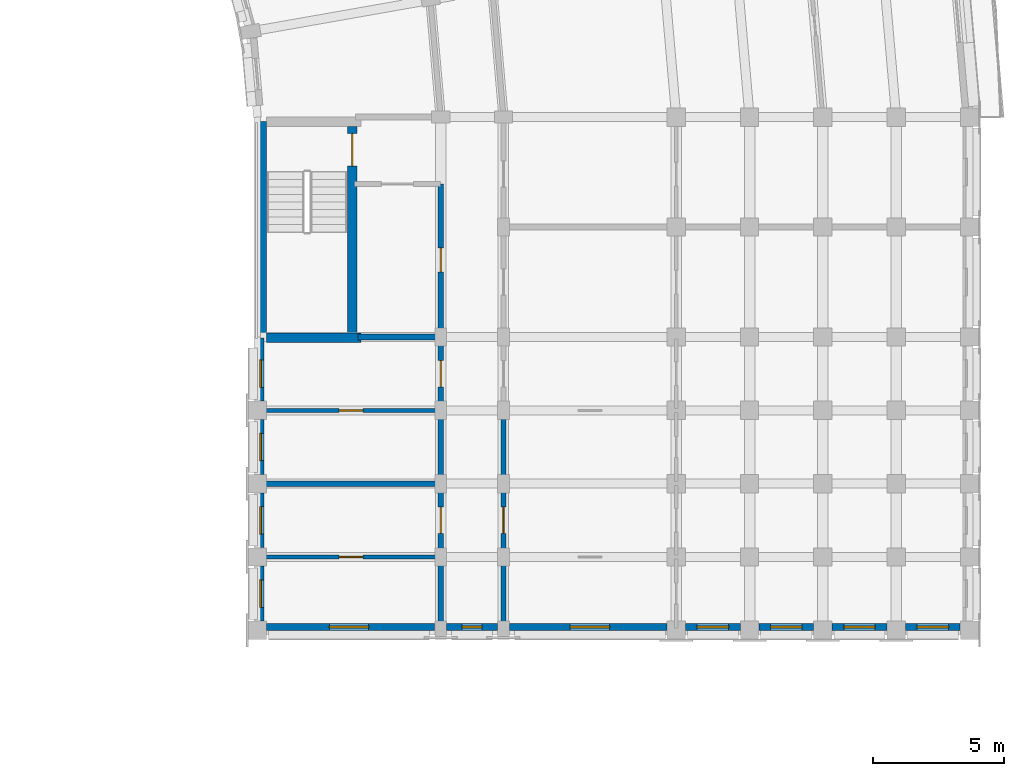
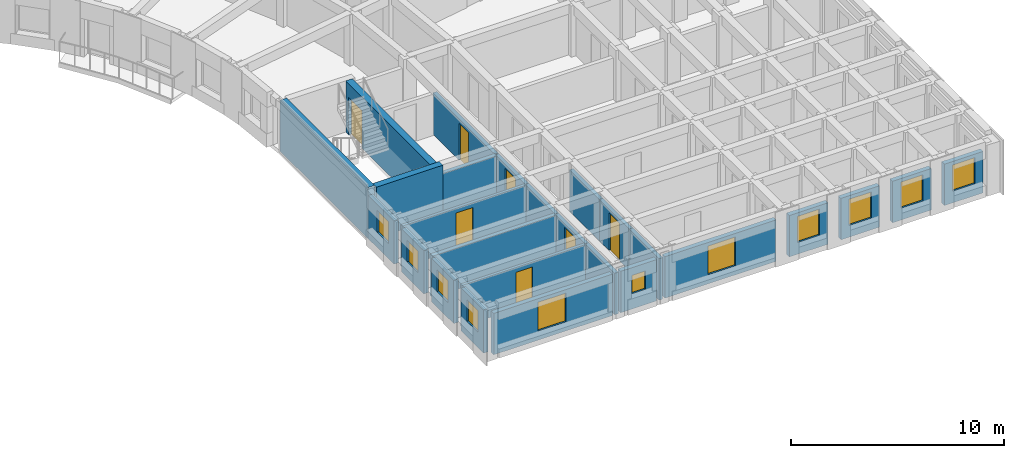
# One storey, part 33 of 57: 26 walls, 11 windows, 7 doors, 18 openings.
"""IFC4 building model written with IfcOpenShell, lengths in metres."""

import ifcopenshell
import ifcopenshell.guid

model = None  # the IFC model being written
_history = None  # IfcOwnerHistory: only IFC2X3 demands one
_inside = {}  # id of a spatial element -> (the spatial element, [elements in it])
_under = {}  # id of a project, library or spatial element -> (it, [spatial elements below it])
_declared = {}  # id of a project -> (the project, [libraries it declares])
_typed = {}  # id of a type object -> (the type object, [elements of that type])
_made_of = {}  # id of a material, layer set ... -> (it, [elements and type objects made of it])


def new_model(schema):
    """Start an empty IFC model of exactly this schema.

    Asked for "IFC4X3", IfcOpenShell would pick the latest addendum, in which some entities
    have other attributes; the version numbers below select the first issue.
    IFC2X3 requires an IfcOwnerHistory on every rooted entity: one is made here for all.
    """
    global model, _history
    if schema == "IFC4X3":
        model = ifcopenshell.file(schema_version=(4, 3, 0, 0))
    else:
        model = ifcopenshell.file(schema=schema)
    _inside.clear()
    _under.clear()
    _declared.clear()
    _typed.clear()
    _made_of.clear()
    _history = None
    if model.schema == "IFC2X3":
        org = make("IfcOrganization", Name="unknown")
        user = make(
            "IfcPersonAndOrganization",
            ThePerson=make("IfcPerson", FamilyName="unknown"),
            TheOrganization=org,
        )
        app = make(
            "IfcApplication",
            ApplicationDeveloper=org,
            Version="unknown",
            ApplicationFullName="unknown",
            ApplicationIdentifier="unknown",
        )
        _history = make(
            "IfcOwnerHistory",
            OwningUser=user,
            OwningApplication=app,
            ChangeAction="ADDED",
            CreationDate=0,
        )
    return model


def make(cls, **values):
    """One entity of the class cls with the attributes given. An attribute that is None is left unset."""
    return model.create_entity(
        cls, **{name: value for name, value in values.items() if value is not None}
    )


def rooted(cls, **values):
    """An entity with a GlobalId (a new one), such as an element, a storey or a relation."""
    return make(cls, GlobalId=ifcopenshell.guid.new(), OwnerHistory=_history, **values)


def si_unit(unit_type, name, prefix=None):
    """IfcSIUnit, for example si_unit("LENGTHUNIT", "METRE", prefix="MILLI")."""
    return make("IfcSIUnit", UnitType=unit_type, Prefix=prefix, Name=name)


def assignment(units):
    """IfcUnitAssignment: the units of a project."""
    return None if units is None else make("IfcUnitAssignment", Units=units)


def point(xyz):
    """IfcCartesianPoint."""
    return None if xyz is None else make("IfcCartesianPoint", Coordinates=xyz)


def direction(xyz):
    """IfcDirection."""
    return None if xyz is None else make("IfcDirection", DirectionRatios=xyz)


def frame(location, z_axis=None, x_axis=None):
    """IfcAxis2Placement3D, a coordinate frame: its origin and axes. An axis left out is left unset."""
    return make(
        "IfcAxis2Placement3D",
        Location=point(location),
        Axis=direction(z_axis),
        RefDirection=direction(x_axis),
    )


def frame_2d(location, x_axis=None):
    """IfcAxis2Placement2D, a coordinate frame in the plane: its origin and x axis."""
    return make(
        "IfcAxis2Placement2D", Location=point(location), RefDirection=direction(x_axis)
    )


def origin():
    """The frame at (0, 0, 0) with its axes left unset."""
    return frame((0.0, 0.0, 0.0))


def place(relative_to, where):
    """IfcLocalPlacement: puts the frame where relative to a parent placement (None: the world)."""
    return make(
        "IfcLocalPlacement", PlacementRelTo=relative_to, RelativePlacement=where
    )


def context(
    kind, dimensions, precision=None, world=None, true_north=None, identifier=None
):
    """IfcGeometricRepresentationContext, for example the 3D "Model" context."""
    return make(
        "IfcGeometricRepresentationContext",
        ContextIdentifier=identifier,
        ContextType=kind,
        CoordinateSpaceDimension=dimensions,
        Precision=precision,
        WorldCoordinateSystem=world,
        TrueNorth=true_north,
    )


def subcontext(parent, identifier, kind, view, scale=None):
    """IfcGeometricRepresentationSubContext, for example "Body" below "Model"."""
    return make(
        "IfcGeometricRepresentationSubContext",
        ContextIdentifier=identifier,
        ContextType=kind,
        ParentContext=parent,
        TargetScale=scale,
        TargetView=view,
    )


def project(units=None, contexts=None):
    """IfcProject with its units and contexts."""
    return rooted(
        "IfcProject",
        Name="project",
        RepresentationContexts=contexts,
        UnitsInContext=assignment(units),
    )


def spatial(cls, under=None, at=None, **own):
    """A site, building, storey or space (cls), placed at a placement, below another one or the project."""
    s = rooted(cls, ObjectPlacement=at, **own)
    if under is not None:
        _under.setdefault(under.id(), (under, []))[1].append(s)
    return s


def profile(cls, at=None, kind="AREA", **sizes):
    """A parametric profile (cls). Its sizes go by their IFC names, for example OverallWidth=200.0."""
    return make(cls, ProfileType=kind, Position=at, **sizes)


def rectangle(**sizes):
    """IfcRectangleProfileDef."""
    return profile("IfcRectangleProfileDef", **sizes)


def extrude(swept, where, along, depth):
    """IfcExtrudedAreaSolid: the profile swept, set in the frame where, extruded along a direction by depth."""
    return make(
        "IfcExtrudedAreaSolid",
        SweptArea=swept,
        Position=where,
        ExtrudedDirection=direction(along),
        Depth=depth,
    )


def shape(context_of_items, identifier, shape_type, items):
    """IfcShapeRepresentation: the items that make up one representation, for example the "Body"."""
    return make(
        "IfcShapeRepresentation",
        ContextOfItems=context_of_items,
        RepresentationIdentifier=identifier,
        RepresentationType=shape_type,
        Items=items,
    )


def material(Name=None, Category=None):
    """IfcMaterial."""
    return make("IfcMaterial", Name=Name, Category=Category)


def layer(
    of_material, thickness, ventilated=None, Name=None, Category=None, Priority=None
):
    """IfcMaterialLayer: one layer of a wall or slab, of a material (None: an air gap)."""
    return make(
        "IfcMaterialLayer",
        Material=of_material,
        LayerThickness=thickness,
        IsVentilated=ventilated,
        Name=Name,
        Category=Category,
        Priority=Priority,
    )


def layer_set(layers, Name=None):
    """IfcMaterialLayerSet."""
    return make("IfcMaterialLayerSet", MaterialLayers=layers, LayerSetName=Name)


def made_of(thing, what):
    """Note that an element or type object is made of a material, layer set ...; save() writes the relation."""
    if what is not None:
        _made_of.setdefault(what.id(), (what, []))[1].append(thing)
    return thing


def type_object(cls, material=None, **own):
    """A type object (cls), such as IfcWallType, which elements share."""
    return made_of(rooted(cls, **own), material)


def element(
    cls,
    number,
    at=None,
    inside=None,
    cuts=None,
    type_object=None,
    material=None,
    context=None,
    identifier="Body",
    shape_type=None,
    held_by="IfcProductDefinitionShape",
    body=None,
    shapes=None,
    **own,
):
    """One element of the class cls, such as IfcWall. Its Tag is "e" and its number.

    at: its placement. inside: the storey or other place that contains it. cuts: it is an
    opening in that element (IfcRelVoidsElement). A single representation is given by context,
    identifier, shape_type and body (its items); several are given by shapes. held_by: the class
    of the entity that holds the representations. save() writes the other relations.
    """
    e = rooted(cls, Tag="e%d" % number, ObjectPlacement=at, **own)
    if body is not None:
        shapes = [shape(context, identifier, shape_type, body)]
    if shapes is not None:
        e.Representation = make(held_by, Representations=shapes)
    if inside is not None:
        _inside.setdefault(inside.id(), (inside, []))[1].append(e)
    if cuts is not None:
        rooted(
            "IfcRelVoidsElement", RelatingBuildingElement=cuts, RelatedOpeningElement=e
        )
    if type_object is not None:
        _typed.setdefault(type_object.id(), (type_object, []))[1].append(e)
    return made_of(e, material)


def fill(opening, filler):
    """IfcRelFillsElement: the door or window that sits in an opening."""
    return rooted(
        "IfcRelFillsElement",
        RelatingOpeningElement=opening,
        RelatedBuildingElement=filler,
    )


def aggregate(whole, parts):
    """IfcRelAggregates: a whole, such as a stair, and the parts it consists of."""
    return rooted("IfcRelAggregates", RelatingObject=whole, RelatedObjects=parts)


def save(model, path):
    """Write the relations noted so far, then the file.

    IfcRelAggregates (storeys below a building ...), IfcRelContainedInSpatialStructure (elements
    in a storey), IfcRelDefinesByType, IfcRelAssociatesMaterial and IfcRelDeclares: one each for
    every whole, place, type object, material and project.
    """
    for whole, parts in _under.values():
        aggregate(whole, parts)
    for where, things in _inside.values():
        rooted(
            "IfcRelContainedInSpatialStructure",
            RelatedElements=things,
            RelatingStructure=where,
        )
    for kind, things in _typed.values():
        rooted("IfcRelDefinesByType", RelatedObjects=things, RelatingType=kind)
    for what, things in _made_of.values():
        rooted("IfcRelAssociatesMaterial", RelatedObjects=things, RelatingMaterial=what)
    for by, libraries in _declared.values():
        rooted("IfcRelDeclares", RelatingContext=by, RelatedDefinitions=libraries)
    model.write(path)


model = new_model("IFC4")

# Units and contexts
model_context = context("Model", 3, precision=1e-05, world=origin(), true_north=direction((0.0, 1.0)))
body_context = subcontext(model_context, "Body", "Model", "MODEL_VIEW")
ifc_project = project(units=[si_unit("LENGTHUNIT", "METRE"), si_unit("AREAUNIT", "SQUARE_METRE"), si_unit("VOLUMEUNIT", "CUBIC_METRE"), si_unit("PLANEANGLEUNIT", "RADIAN"), si_unit("MASSUNIT", "GRAM", prefix="KILO")], contexts=[model_context])

# Site, building, storey
site_placement = place(None, origin())
site = spatial("IfcSite", under=ifc_project, at=site_placement, CompositionType="ELEMENT")
building_placement = place(site_placement, origin())
building = spatial("IfcBuilding", under=site, at=building_placement, Name="Kiranvali Square Residences", CompositionType="ELEMENT")
storey_placement = place(building_placement, frame((0.0, 0.0, 21.300048828125)))
storey = spatial("IfcBuildingStorey", under=building, at=storey_placement, Name="L06", CompositionType="ELEMENT", Elevation=21.300048828125)

# Wall, opening, door
ifc_material_1 = material(Name="Autoclaved aerated concrete blockwork masonry", Category="masonry")
ifc_layer_1 = layer(ifc_material_1, 0.199951171875)
ifc_layer_set_1 = layer_set([ifc_layer_1], Name="Autoclaved aerated concrete blockwork masonry")
wall_type_1 = type_object("IfcWallType", Name="WL-COR-200", PredefinedType="STANDARD", material=ifc_layer_set_1)
wall_1_placement = place(storey_placement, frame((145.60009765625, 85.25, 0.0), z_axis=(0.0, 0.0, 1.0), x_axis=(0.0, -1.0, 0.0)))
wall_1 = element("IfcWall", 1, at=wall_1_placement, inside=storey, type_object=wall_type_1, Name="L06 architectural wall WL-L06-B-S3-COR", PredefinedType="STANDARD", context=body_context, shape_type="SweptSolid", body=[
    extrude(rectangle(XDim=5.800048828125, YDim=0.199951171875, at=frame_2d((2.89990234375, 0.0))), origin(), (0.0, 0.0, 1.0), 2.3720703125),
])
opening_1_placement = place(wall_1_placement, frame((2.43994140625, 0.0, 0.0)))
opening_1 = element("IfcOpeningElement", 2, at=opening_1_placement, cuts=wall_1, Name="Opening FD-SVC-120", PredefinedType="OPENING", context=body_context, shape_type="SweptSolid", body=[
    extrude(rectangle(XDim=0.919921875, YDim=2.10009765625, at=frame_2d((0.4599609375, 1.050048828125))), frame((0.0, 0.10986328125, 0.0), z_axis=(0.0, -1.0, 0.0), x_axis=(1.0, 0.0, 0.0)), (0.0, 0.0, 1.0), 0.219970703125),
])
ifc_material_2 = material(Name="Fire-rated acoustic hardwood and mineral-core door assembly", Category="wood")
door_type_1 = type_object("IfcDoorType", Name="DR-SVC-900", OperationType="NOTDEFINED", PredefinedType="DOOR", material=ifc_material_2)
door_1_placement = place(opening_1_placement, frame((0.919921875, 0.0, 0.0), z_axis=(0.0, 0.0, 1.0), x_axis=(-1.0, 0.0, 0.0)))
door_1 = element("IfcDoor", 3, at=door_1_placement, inside=storey, type_object=door_type_1, Name="L06 door DR-L06-1336 (DR-SVC-900)", OperationType="SINGLE_SWING_RIGHT", OverallHeight=2.10009765625, OverallWidth=0.919921875, PredefinedType="DOOR", context=body_context, shape_type="SweptSolid", body=[
    extrude(rectangle(XDim=0.919921875, YDim=2.10009765625, at=frame_2d((0.4599609375, 1.050048828125))), frame((0.0, 0.02490234375, 0.0), z_axis=(0.0, -1.0, 0.0), x_axis=(1.0, 0.0, 0.0)), (0.0, 0.0, 1.0), 0.050048828125),
])
fill(opening_1, door_1)

wall_2_placement = place(storey_placement, frame((145.60009765625, 79.39990234375, 0.0), z_axis=(0.0, 0.0, 1.0), x_axis=(0.0, -1.0, 0.0)))
wall_2 = element("IfcWall", 4, at=wall_2_placement, inside=storey, type_object=wall_type_1, Name="L06 architectural wall WL-L06-B-A2CI-0", PredefinedType="STANDARD", context=body_context, shape_type="SweptSolid", body=[
    extrude(rectangle(XDim=2.7998046875, YDim=0.199951171875, at=frame_2d((1.39990234375, 0.0))), origin(), (0.0, 0.0, 1.0), 2.3720703125),
])
opening_2_placement = place(wall_2_placement, frame((0.89990234375, 0.0, 0.0)))
opening_2 = element("IfcOpeningElement", 5, at=opening_2_placement, cuts=wall_2, Name="Opening FD-APT-60", PredefinedType="OPENING", context=body_context, shape_type="SweptSolid", body=[
    extrude(rectangle(XDim=1.0, YDim=2.14990234375, at=frame_2d((0.5, 1.074951171875))), frame((0.0, 0.10986328125, 0.0), z_axis=(0.0, -1.0, 0.0), x_axis=(1.0, 0.0, 0.0)), (0.0, 0.0, 1.0), 0.219970703125),
])
door_type_2 = type_object("IfcDoorType", Name="DR-APT-1000", OperationType="NOTDEFINED", PredefinedType="DOOR", material=ifc_material_2)
door_2_placement = place(opening_2_placement, frame((1.0, 0.0, 0.0), z_axis=(0.0, 0.0, 1.0), x_axis=(-1.0, 0.0, 0.0)))
door_2 = element("IfcDoor", 6, at=door_2_placement, inside=storey, type_object=door_type_2, Name="L06 door DR-L06-1374 (DR-APT-1000)", OperationType="SINGLE_SWING_RIGHT", OverallHeight=2.14990234375, OverallWidth=1.0, PredefinedType="DOOR", context=body_context, shape_type="SweptSolid", body=[
    extrude(rectangle(XDim=1.0, YDim=2.14990234375, at=frame_2d((0.5, 1.074951171875))), frame((0.0, 0.02490234375, 0.0), z_axis=(0.0, -1.0, 0.0), x_axis=(1.0, 0.0, 0.0)), (0.0, 0.0, 1.0), 0.050048828125),
])
fill(opening_2, door_2)

# Walls
for number, where, z_axis, x_axis, name in (
    (7, (145.60009765625, 76.60009765625, 0.0), (0.0, 0.0, 1.0), (0.0, -1.0, 0.0), "L06 architectural wall WL-L06-B-A2CI-1"),
    (8, (148.0, 76.60009765625, 0.0), (0.0, 0.0, 1.0), (0.0, -1.0, 0.0), "L06 architectural wall WL-L06-B-A2CO-1"),
):
    element("IfcWall", number, at=place(storey_placement, frame(where, z_axis=z_axis, x_axis=x_axis)), inside=storey, type_object=wall_type_1, Name=name, PredefinedType="STANDARD", context=body_context, shape_type="SweptSolid", body=[
        extrude(rectangle(XDim=2.800048828125, YDim=0.199951171875, at=frame_2d((1.39990234375, 0.0))), origin(), (0.0, 0.0, 1.0), 2.3720703125),
    ])

# Wall, opening, door
wall_3_placement = place(storey_placement, frame((145.60009765625, 73.800048828125, 0.0), z_axis=(0.0, 0.0, 1.0), x_axis=(0.0, -1.0, 0.0)))
wall_3 = element("IfcWall", 9, at=wall_3_placement, inside=storey, type_object=wall_type_1, Name="L06 architectural wall WL-L06-B-A2CI-2", PredefinedType="STANDARD", context=body_context, shape_type="SweptSolid", body=[
    extrude(rectangle(XDim=2.800048828125, YDim=0.199951171875, at=frame_2d((1.39990234375, 0.0))), origin(), (0.0, 0.0, 1.0), 2.3720703125),
])
opening_3_placement = place(wall_3_placement, frame((0.89990234375, 0.0, 0.0)))
opening_3 = element("IfcOpeningElement", 10, at=opening_3_placement, cuts=wall_3, Name="Opening FD-APT-60", PredefinedType="OPENING", context=body_context, shape_type="SweptSolid", body=[
    extrude(rectangle(XDim=1.0, YDim=2.14990234375, at=frame_2d((0.5, 1.074951171875))), frame((0.0, 0.10986328125, 0.0), z_axis=(0.0, -1.0, 0.0), x_axis=(1.0, 0.0, 0.0)), (0.0, 0.0, 1.0), 0.219970703125),
])
door_3_placement = place(opening_3_placement, frame((1.0, 0.0, 0.0), z_axis=(0.0, 0.0, 1.0), x_axis=(-1.0, 0.0, 0.0)))
door_3 = element("IfcDoor", 11, at=door_3_placement, inside=storey, type_object=door_type_2, Name="L06 door DR-L06-1380 (DR-APT-1000)", OperationType="SINGLE_SWING_RIGHT", OverallHeight=2.14990234375, OverallWidth=1.0, PredefinedType="DOOR", context=body_context, shape_type="SweptSolid", body=[
    extrude(rectangle(XDim=1.0, YDim=2.14990234375, at=frame_2d((0.5, 1.074951171875))), frame((0.0, 0.02490234375, 0.0), z_axis=(0.0, -1.0, 0.0), x_axis=(1.0, 0.0, 0.0)), (0.0, 0.0, 1.0), 0.050048828125),
])
fill(opening_3, door_3)

wall_4_placement = place(storey_placement, frame((148.0, 73.800048828125, 0.0), z_axis=(0.0, 0.0, 1.0), x_axis=(0.0, -1.0, 0.0)))
wall_4 = element("IfcWall", 12, at=wall_4_placement, inside=storey, type_object=wall_type_1, Name="L06 architectural wall WL-L06-B-A2CO-2", PredefinedType="STANDARD", context=body_context, shape_type="SweptSolid", body=[
    extrude(rectangle(XDim=2.800048828125, YDim=0.199951171875, at=frame_2d((1.39990234375, 0.0))), origin(), (0.0, 0.0, 1.0), 2.3720703125),
])
opening_4_placement = place(wall_4_placement, frame((0.89990234375, 0.0, 0.0)))
opening_4 = element("IfcOpeningElement", 13, at=opening_4_placement, cuts=wall_4, Name="Opening FD-APT-60", PredefinedType="OPENING", context=body_context, shape_type="SweptSolid", body=[
    extrude(rectangle(XDim=1.0, YDim=2.14990234375, at=frame_2d((0.5, 1.074951171875))), frame((0.0, 0.10986328125, 0.0), z_axis=(0.0, -1.0, 0.0), x_axis=(1.0, 0.0, 0.0)), (0.0, 0.0, 1.0), 0.219970703125),
])
door_4_placement = place(opening_4_placement, frame((1.0, 0.0, 0.0), z_axis=(0.0, 0.0, 1.0), x_axis=(-1.0, 0.0, 0.0)))
door_4 = element("IfcDoor", 14, at=door_4_placement, inside=storey, type_object=door_type_2, Name="L06 door DR-L06-1382 (DR-APT-1000)", OperationType="SINGLE_SWING_RIGHT", OverallHeight=2.14990234375, OverallWidth=1.0, PredefinedType="DOOR", context=body_context, shape_type="SweptSolid", body=[
    extrude(rectangle(XDim=1.0, YDim=2.14990234375, at=frame_2d((0.5, 1.074951171875))), frame((0.0, 0.02490234375, 0.0), z_axis=(0.0, -1.0, 0.0), x_axis=(1.0, 0.0, 0.0)), (0.0, 0.0, 1.0), 0.050048828125),
])
fill(opening_4, door_4)

# Walls
for number, where, z_axis, x_axis, name in (
    (15, (145.60009765625, 71.0, 0.0), (0.0, 0.0, 1.0), (0.0, -1.0, 0.0), "L06 architectural wall WL-L06-B-A2CI-3"),
    (16, (148.0, 71.0, 0.0), (0.0, 0.0, 1.0), (0.0, -1.0, 0.0), "L06 architectural wall WL-L06-B-A2CO-3"),
):
    element("IfcWall", number, at=place(storey_placement, frame(where, z_axis=z_axis, x_axis=x_axis)), inside=storey, type_object=wall_type_1, Name=name, PredefinedType="STANDARD", context=body_context, shape_type="SweptSolid", body=[
        extrude(rectangle(XDim=2.800048828125, YDim=0.199951171875, at=frame_2d((1.39990234375, 0.0))), origin(), (0.0, 0.0, 1.0), 2.3720703125),
    ])
ifc_layer_2 = layer(ifc_material_1, 0.219970703125)
ifc_layer_set_2 = layer_set([ifc_layer_2], Name="Autoclaved aerated concrete blockwork masonry")
wall_type_2 = type_object("IfcWallType", Name="WL-DEM-220", PredefinedType="STANDARD", material=ifc_layer_set_2)
wall_5_placement = place(storey_placement, frame((142.449951171875, 79.39990234375, 0.0), z_axis=(0.0, 0.0, 1.0), x_axis=(1.0, 0.0, 0.0)))
element("IfcWall", 17, at=wall_5_placement, inside=storey, type_object=wall_type_2, Name="L06 architectural wall WL-L06-B-A2TI-0", PredefinedType="STANDARD", context=body_context, shape_type="SweptSolid", body=[
    extrude(rectangle(XDim=3.10009765625, YDim=0.219970703125, at=frame_2d((1.550048828125, 0.0))), origin(), (0.0, 0.0, 1.0), 2.3720703125),
])
wall_6_placement = place(storey_placement, frame((138.800048828125, 73.800048828125, 0.0), z_axis=(0.0, 0.0, 1.0), x_axis=(1.0, 0.0, 0.0)))
element("IfcWall", 18, at=wall_6_placement, inside=storey, type_object=wall_type_2, Name="L06 architectural wall WL-L06-B-A2TI-2", PredefinedType="STANDARD", context=body_context, shape_type="SweptSolid", body=[
    extrude(rectangle(XDim=6.75, YDim=0.219970703125, at=frame_2d((3.375, 0.0))), origin(), (0.0, 0.0, 1.0), 2.3720703125),
])

# Wall, opening, window
ifc_material_3 = material(Name="Breathable lime-rendered clay brick masonry", Category="masonry")
ifc_layer_3 = layer(ifc_material_3, 0.25)
ifc_layer_set_3 = layer_set([ifc_layer_3], Name="Breathable lime-rendered clay brick masonry")
wall_type_3 = type_object("IfcWallType", Name="WL-EXT-250", PredefinedType="STANDARD", material=ifc_layer_set_3)
wall_7_placement = place(storey_placement, frame((138.72509765625, 79.37158203125, 0.0), z_axis=(0.0, 0.0, 1.0), x_axis=(0.0, -1.0, 0.0)))
wall_7 = element("IfcWall", 19, at=wall_7_placement, inside=storey, type_object=wall_type_3, Name="L06 exterior wall B-L06-A2I-0", PredefinedType="STANDARD", context=body_context, shape_type="SweptSolid", body=[
    extrude(rectangle(XDim=2.41796875, YDim=0.25, at=frame_2d((1.208984375, 0.0))), origin(), (0.0, 0.0, 1.0), 2.471923828125),
])
opening_5_placement = place(wall_7_placement, frame((0.846435546875, 0.0, 0.8798828125)))
opening_5 = element("IfcOpeningElement", 20, at=opening_5_placement, cuts=wall_7, Name="Opening W-24", PredefinedType="OPENING", context=body_context, shape_type="SweptSolid", body=[
    extrude(rectangle(XDim=1.050048828125, YDim=1.25, at=frame_2d((0.52490234375, 0.625))), frame((0.0, 0.135009765625, 0.0), z_axis=(0.0, -1.0, 0.0), x_axis=(1.0, 0.0, 0.0)), (0.0, 0.0, 1.0), 0.27001953125),
])
ifc_material_4 = material(Name="Solar-control low-e double glazing", Category="glass")
window_type_1 = type_object("IfcWindowType", Name="WIN-COR-1050x1250", PartitioningType="SINGLE_PANEL", PredefinedType="WINDOW", material=ifc_material_4)
window_1_placement = place(opening_5_placement, origin())
window_1 = element("IfcWindow", 21, at=window_1_placement, inside=storey, type_object=window_type_1, Name="L06 recessed window B-L06-A2I-0", OverallHeight=1.25, OverallWidth=1.050048828125, PartitioningType="SINGLE_PANEL", PredefinedType="WINDOW", context=body_context, shape_type="SweptSolid", body=[
    extrude(rectangle(XDim=1.050048828125, YDim=1.25, at=frame_2d((0.52490234375, 0.625))), frame((0.0, 0.030029296875, 0.0), z_axis=(0.0, -1.0, 0.0), x_axis=(1.0, 0.0, 0.0)), (0.0, 0.0, 1.0), 0.06005859375),
])
fill(opening_5, window_1)

wall_8_placement = place(storey_placement, frame((138.72509765625, 76.24658203125, 0.0), z_axis=(0.0, 0.0, 1.0), x_axis=(0.0, -1.0, 0.0)))
wall_8 = element("IfcWall", 22, at=wall_8_placement, inside=storey, type_object=wall_type_3, Name="L06 exterior wall B-L06-A2I-1", PredefinedType="STANDARD", context=body_context, shape_type="SweptSolid", body=[
    extrude(rectangle(XDim=2.093017578125, YDim=0.25, at=frame_2d((1.04638671875, 0.0))), origin(), (0.0, 0.0, 1.0), 2.471923828125),
])
opening_6_placement = place(wall_8_placement, frame((0.521484375, 0.0, 0.8798828125)))
opening_6 = element("IfcOpeningElement", 23, at=opening_6_placement, cuts=wall_8, Name="Opening W-24", PredefinedType="OPENING", context=body_context, shape_type="SweptSolid", body=[
    extrude(rectangle(XDim=1.050048828125, YDim=1.25, at=frame_2d((0.52490234375, 0.625))), frame((0.0, 0.135009765625, 0.0), z_axis=(0.0, -1.0, 0.0), x_axis=(1.0, 0.0, 0.0)), (0.0, 0.0, 1.0), 0.27001953125),
])
window_2_placement = place(opening_6_placement, origin())
window_2 = element("IfcWindow", 24, at=window_2_placement, inside=storey, type_object=window_type_1, Name="L06 recessed window B-L06-A2I-1", OverallHeight=1.25, OverallWidth=1.050048828125, PartitioningType="SINGLE_PANEL", PredefinedType="WINDOW", context=body_context, shape_type="SweptSolid", body=[
    extrude(rectangle(XDim=1.050048828125, YDim=1.25, at=frame_2d((0.52490234375, 0.625))), frame((0.0, 0.030029296875, 0.0), z_axis=(0.0, -1.0, 0.0), x_axis=(1.0, 0.0, 0.0)), (0.0, 0.0, 1.0), 0.06005859375),
])
fill(opening_6, window_2)

wall_9_placement = place(storey_placement, frame((138.72509765625, 73.446533203125, 0.0), z_axis=(0.0, 0.0, 1.0), x_axis=(0.0, -1.0, 0.0)))
wall_9 = element("IfcWall", 25, at=wall_9_placement, inside=storey, type_object=wall_type_3, Name="L06 exterior wall B-L06-A2I-2", PredefinedType="STANDARD", context=body_context, shape_type="SweptSolid", body=[
    extrude(rectangle(XDim=2.093017578125, YDim=0.25, at=frame_2d((1.04638671875, 0.0))), origin(), (0.0, 0.0, 1.0), 2.471923828125),
])
opening_7_placement = place(wall_9_placement, frame((0.521484375, 0.0, 0.8798828125)))
opening_7 = element("IfcOpeningElement", 26, at=opening_7_placement, cuts=wall_9, Name="Opening W-24", PredefinedType="OPENING", context=body_context, shape_type="SweptSolid", body=[
    extrude(rectangle(XDim=1.050048828125, YDim=1.25, at=frame_2d((0.52490234375, 0.625))), frame((0.0, 0.135009765625, 0.0), z_axis=(0.0, -1.0, 0.0), x_axis=(1.0, 0.0, 0.0)), (0.0, 0.0, 1.0), 0.27001953125),
])
window_3_placement = place(opening_7_placement, origin())
window_3 = element("IfcWindow", 27, at=window_3_placement, inside=storey, type_object=window_type_1, Name="L06 recessed window B-L06-A2I-2", OverallHeight=1.25, OverallWidth=1.050048828125, PartitioningType="SINGLE_PANEL", PredefinedType="WINDOW", context=body_context, shape_type="SweptSolid", body=[
    extrude(rectangle(XDim=1.050048828125, YDim=1.25, at=frame_2d((0.52490234375, 0.625))), frame((0.0, 0.030029296875, 0.0), z_axis=(0.0, -1.0, 0.0), x_axis=(1.0, 0.0, 0.0)), (0.0, 0.0, 1.0), 0.06005859375),
])
fill(opening_7, window_3)

wall_10_placement = place(storey_placement, frame((138.72509765625, 70.646484375, 0.0), z_axis=(0.0, 0.0, 1.0), x_axis=(0.0, -1.0, 0.0)))
wall_10 = element("IfcWall", 28, at=wall_10_placement, inside=storey, type_object=wall_type_3, Name="L06 exterior wall B-L06-A2I-3", PredefinedType="STANDARD", context=body_context, shape_type="SweptSolid", body=[
    extrude(rectangle(XDim=2.093017578125, YDim=0.25, at=frame_2d((1.04638671875, 0.0))), origin(), (0.0, 0.0, 1.0), 2.471923828125),
])
opening_8_placement = place(wall_10_placement, frame((0.521484375, 0.0, 0.8798828125)))
opening_8 = element("IfcOpeningElement", 29, at=opening_8_placement, cuts=wall_10, Name="Opening W-24", PredefinedType="OPENING", context=body_context, shape_type="SweptSolid", body=[
    extrude(rectangle(XDim=1.050048828125, YDim=1.25, at=frame_2d((0.52490234375, 0.625))), frame((0.0, 0.135009765625, 0.0), z_axis=(0.0, -1.0, 0.0), x_axis=(1.0, 0.0, 0.0)), (0.0, 0.0, 1.0), 0.27001953125),
])
window_4_placement = place(opening_8_placement, origin())
window_4 = element("IfcWindow", 30, at=window_4_placement, inside=storey, type_object=window_type_1, Name="L06 recessed window B-L06-A2I-3", OverallHeight=1.25, OverallWidth=1.050048828125, PartitioningType="SINGLE_PANEL", PredefinedType="WINDOW", context=body_context, shape_type="SweptSolid", body=[
    extrude(rectangle(XDim=1.050048828125, YDim=1.25, at=frame_2d((0.52490234375, 0.625))), frame((0.0, 0.030029296875, 0.0), z_axis=(0.0, -1.0, 0.0), x_axis=(1.0, 0.0, 0.0)), (0.0, 0.0, 1.0), 0.06005859375),
])
fill(opening_8, window_4)

wall_11_placement = place(storey_placement, frame((138.95361328125, 68.324951171875, 0.0), z_axis=(0.0, 0.0, 1.0), x_axis=(1.0, 0.0, 0.0)))
wall_11 = element("IfcWall", 31, at=wall_11_placement, inside=storey, type_object=wall_type_3, Name="L06 exterior wall B-L06-A2END-0", PredefinedType="STANDARD", context=body_context, shape_type="SweptSolid", body=[
    extrude(rectangle(XDim=6.41796875, YDim=0.25, at=frame_2d((3.208984375, 0.0))), origin(), (0.0, 0.0, 1.0), 2.3720703125),
])
opening_9_placement = place(wall_11_placement, frame((2.396484375, 0.0, 0.52197265625)))
opening_9 = element("IfcOpeningElement", 32, at=opening_9_placement, cuts=wall_11, Name="Opening W-05", PredefinedType="OPENING", context=body_context, shape_type="SweptSolid", body=[
    extrude(rectangle(XDim=1.5, YDim=1.64990234375, at=frame_2d((0.75, 0.824951171875))), frame((0.0, 0.135009765625, 0.0), z_axis=(0.0, -1.0, 0.0), x_axis=(1.0, 0.0, 0.0)), (0.0, 0.0, 1.0), 0.27001953125),
])
window_type_2 = type_object("IfcWindowType", Name="WIN-RES-1500x1650", PartitioningType="DOUBLE_PANEL_VERTICAL", PredefinedType="WINDOW", material=ifc_material_4)
window_5_placement = place(opening_9_placement, origin())
window_5 = element("IfcWindow", 33, at=window_5_placement, inside=storey, type_object=window_type_2, Name="L06 recessed window B-L06-A2END-0", OverallHeight=1.64990234375, OverallWidth=1.5, PartitioningType="DOUBLE_PANEL_VERTICAL", PredefinedType="WINDOW", context=body_context, shape_type="SweptSolid", body=[
    extrude(rectangle(XDim=1.5, YDim=1.64990234375, at=frame_2d((0.75, 0.824951171875))), frame((0.0, 0.030029296875, 0.0), z_axis=(0.0, -1.0, 0.0), x_axis=(1.0, 0.0, 0.0)), (0.0, 0.0, 1.0), 0.06005859375),
])
fill(opening_9, window_5)

wall_12_placement = place(storey_placement, frame((145.82861328125, 68.324951171875, 0.0), z_axis=(0.0, 0.0, 1.0), x_axis=(1.0, 0.0, 0.0)))
wall_12 = element("IfcWall", 34, at=wall_12_placement, inside=storey, type_object=wall_type_3, Name="L06 exterior wall B-L06-A2END-1", PredefinedType="STANDARD", context=body_context, shape_type="SweptSolid", body=[
    extrude(rectangle(XDim=1.94287109375, YDim=0.25, at=frame_2d((0.971435546875, 0.0))), origin(), (0.0, 0.0, 1.0), 2.3720703125),
])
opening_10_placement = place(wall_12_placement, frame((0.596435546875, 0.0, 0.8798828125)))
opening_10 = element("IfcOpeningElement", 35, at=opening_10_placement, cuts=wall_12, Name="Opening W-07", PredefinedType="OPENING", context=body_context, shape_type="SweptSolid", body=[
    extrude(rectangle(XDim=0.75, YDim=1.050048828125, at=frame_2d((0.375, 0.52490234375))), frame((0.0, 0.135009765625, 0.0), z_axis=(0.0, -1.0, 0.0), x_axis=(1.0, 0.0, 0.0)), (0.0, 0.0, 1.0), 0.27001953125),
])
window_type_3 = type_object("IfcWindowType", Name="WIN-WET-750x1050", PartitioningType="SINGLE_PANEL", PredefinedType="WINDOW", material=ifc_material_4)
window_6_placement = place(opening_10_placement, origin())
window_6 = element("IfcWindow", 36, at=window_6_placement, inside=storey, type_object=window_type_3, Name="L06 recessed window B-L06-A2END-1", OverallHeight=1.050048828125, OverallWidth=0.75, PartitioningType="SINGLE_PANEL", PredefinedType="WINDOW", context=body_context, shape_type="SweptSolid", body=[
    extrude(rectangle(XDim=0.75, YDim=1.050048828125, at=frame_2d((0.375, 0.52490234375))), frame((0.0, 0.030029296875, 0.0), z_axis=(0.0, -1.0, 0.0), x_axis=(1.0, 0.0, 0.0)), (0.0, 0.0, 1.0), 0.06005859375),
])
fill(opening_10, window_6)

wall_13_placement = place(storey_placement, frame((148.228515625, 68.324951171875, 0.0), z_axis=(0.0, 0.0, 1.0), x_axis=(1.0, 0.0, 0.0)))
wall_13 = element("IfcWall", 37, at=wall_13_placement, inside=storey, type_object=wall_type_3, Name="L06 exterior wall B-L06-A2END-2", PredefinedType="STANDARD", context=body_context, shape_type="SweptSolid", body=[
    extrude(rectangle(XDim=6.01806640625, YDim=0.25, at=frame_2d((3.009033203125, 0.0))), origin(), (0.0, 0.0, 1.0), 2.3720703125),
])
opening_11_placement = place(wall_13_placement, frame((2.321533203125, 0.0, 0.52197265625)))
opening_11 = element("IfcOpeningElement", 38, at=opening_11_placement, cuts=wall_13, Name="Opening W-05", PredefinedType="OPENING", context=body_context, shape_type="SweptSolid", body=[
    extrude(rectangle(XDim=1.5, YDim=1.64990234375, at=frame_2d((0.75, 0.824951171875))), frame((0.0, 0.135009765625, 0.0), z_axis=(0.0, -1.0, 0.0), x_axis=(1.0, 0.0, 0.0)), (0.0, 0.0, 1.0), 0.27001953125),
])
window_7_placement = place(opening_11_placement, origin())
window_7 = element("IfcWindow", 39, at=window_7_placement, inside=storey, type_object=window_type_2, Name="L06 recessed window B-L06-A2END-2", OverallHeight=1.64990234375, OverallWidth=1.5, PartitioningType="DOUBLE_PANEL_VERTICAL", PredefinedType="WINDOW", context=body_context, shape_type="SweptSolid", body=[
    extrude(rectangle(XDim=1.5, YDim=1.64990234375, at=frame_2d((0.75, 0.824951171875))), frame((0.0, 0.030029296875, 0.0), z_axis=(0.0, -1.0, 0.0), x_axis=(1.0, 0.0, 0.0)), (0.0, 0.0, 1.0), 0.06005859375),
])
fill(opening_11, window_7)

wall_14_placement = place(storey_placement, frame((154.95361328125, 68.324951171875, 0.0), z_axis=(0.0, 0.0, 1.0), x_axis=(1.0, 0.0, 0.0)))
wall_14 = element("IfcWall", 40, at=wall_14_placement, inside=storey, type_object=wall_type_3, Name="L06 exterior wall B-L06-A2END-3", PredefinedType="STANDARD", context=body_context, shape_type="SweptSolid", body=[
    extrude(rectangle(XDim=2.0927734375, YDim=0.25, at=frame_2d((1.04638671875, 0.0))), origin(), (0.0, 0.0, 1.0), 2.3720703125),
])
opening_12_placement = place(wall_14_placement, frame((0.446533203125, 0.0, 0.672119140625)))
opening_12 = element("IfcOpeningElement", 41, at=opening_12_placement, cuts=wall_14, Name="Opening W-06", PredefinedType="OPENING", context=body_context, shape_type="SweptSolid", body=[
    extrude(rectangle(XDim=1.199951171875, YDim=1.5, at=frame_2d((0.60009765625, 0.75))), frame((0.0, 0.135009765625, 0.0), z_axis=(0.0, -1.0, 0.0), x_axis=(1.0, 0.0, 0.0)), (0.0, 0.0, 1.0), 0.27001953125),
])
window_type_4 = type_object("IfcWindowType", Name="WIN-RES-1200x1500", PartitioningType="SINGLE_PANEL", PredefinedType="WINDOW", material=ifc_material_4)
window_8_placement = place(opening_12_placement, origin())
window_8 = element("IfcWindow", 42, at=window_8_placement, inside=storey, type_object=window_type_4, Name="L06 recessed window B-L06-A2END-3", OverallHeight=1.5, OverallWidth=1.199951171875, PartitioningType="SINGLE_PANEL", PredefinedType="WINDOW", context=body_context, shape_type="SweptSolid", body=[
    extrude(rectangle(XDim=1.199951171875, YDim=1.5, at=frame_2d((0.60009765625, 0.75))), frame((0.0, 0.030029296875, 0.0), z_axis=(0.0, -1.0, 0.0), x_axis=(1.0, 0.0, 0.0)), (0.0, 0.0, 1.0), 0.06005859375),
])
fill(opening_12, window_8)

wall_15_placement = place(storey_placement, frame((157.75341796875, 68.324951171875, 0.0), z_axis=(0.0, 0.0, 1.0), x_axis=(1.0, 0.0, 0.0)))
wall_15 = element("IfcWall", 43, at=wall_15_placement, inside=storey, type_object=wall_type_3, Name="L06 exterior wall B-L06-A2END-4", PredefinedType="STANDARD", context=body_context, shape_type="SweptSolid", body=[
    extrude(rectangle(XDim=2.093017578125, YDim=0.25, at=frame_2d((1.04638671875, 0.0))), origin(), (0.0, 0.0, 1.0), 2.3720703125),
])
opening_13_placement = place(wall_15_placement, frame((0.446533203125, 0.0, 0.672119140625)))
opening_13 = element("IfcOpeningElement", 44, at=opening_13_placement, cuts=wall_15, Name="Opening W-06", PredefinedType="OPENING", context=body_context, shape_type="SweptSolid", body=[
    extrude(rectangle(XDim=1.199951171875, YDim=1.5, at=frame_2d((0.60009765625, 0.75))), frame((0.0, 0.135009765625, 0.0), z_axis=(0.0, -1.0, 0.0), x_axis=(1.0, 0.0, 0.0)), (0.0, 0.0, 1.0), 0.27001953125),
])
window_9_placement = place(opening_13_placement, origin())
window_9 = element("IfcWindow", 45, at=window_9_placement, inside=storey, type_object=window_type_4, Name="L06 recessed window B-L06-A2END-4", OverallHeight=1.5, OverallWidth=1.199951171875, PartitioningType="SINGLE_PANEL", PredefinedType="WINDOW", context=body_context, shape_type="SweptSolid", body=[
    extrude(rectangle(XDim=1.199951171875, YDim=1.5, at=frame_2d((0.60009765625, 0.75))), frame((0.0, 0.030029296875, 0.0), z_axis=(0.0, -1.0, 0.0), x_axis=(1.0, 0.0, 0.0)), (0.0, 0.0, 1.0), 0.06005859375),
])
fill(opening_13, window_9)

wall_16_placement = place(storey_placement, frame((160.553466796875, 68.324951171875, 0.0), z_axis=(0.0, 0.0, 1.0), x_axis=(1.0, 0.0, 0.0)))
wall_16 = element("IfcWall", 46, at=wall_16_placement, inside=storey, type_object=wall_type_3, Name="L06 exterior wall B-L06-A2END-5", PredefinedType="STANDARD", context=body_context, shape_type="SweptSolid", body=[
    extrude(rectangle(XDim=2.093017578125, YDim=0.25, at=frame_2d((1.04638671875, 0.0))), origin(), (0.0, 0.0, 1.0), 2.3720703125),
])
opening_14_placement = place(wall_16_placement, frame((0.446533203125, 0.0, 0.672119140625)))
opening_14 = element("IfcOpeningElement", 47, at=opening_14_placement, cuts=wall_16, Name="Opening W-06", PredefinedType="OPENING", context=body_context, shape_type="SweptSolid", body=[
    extrude(rectangle(XDim=1.199951171875, YDim=1.5, at=frame_2d((0.60009765625, 0.75))), frame((0.0, 0.135009765625, 0.0), z_axis=(0.0, -1.0, 0.0), x_axis=(1.0, 0.0, 0.0)), (0.0, 0.0, 1.0), 0.27001953125),
])
window_10_placement = place(opening_14_placement, origin())
window_10 = element("IfcWindow", 48, at=window_10_placement, inside=storey, type_object=window_type_4, Name="L06 recessed window B-L06-A2END-5", OverallHeight=1.5, OverallWidth=1.199951171875, PartitioningType="SINGLE_PANEL", PredefinedType="WINDOW", context=body_context, shape_type="SweptSolid", body=[
    extrude(rectangle(XDim=1.199951171875, YDim=1.5, at=frame_2d((0.60009765625, 0.75))), frame((0.0, 0.030029296875, 0.0), z_axis=(0.0, -1.0, 0.0), x_axis=(1.0, 0.0, 0.0)), (0.0, 0.0, 1.0), 0.06005859375),
])
fill(opening_14, window_10)

wall_17_placement = place(storey_placement, frame((163.353515625, 68.324951171875, 0.0), z_axis=(0.0, 0.0, 1.0), x_axis=(1.0, 0.0, 0.0)))
wall_17 = element("IfcWall", 49, at=wall_17_placement, inside=storey, type_object=wall_type_3, Name="L06 exterior wall B-L06-A2END-6", PredefinedType="STANDARD", context=body_context, shape_type="SweptSolid", body=[
    extrude(rectangle(XDim=2.093017578125, YDim=0.25, at=frame_2d((1.04638671875, 0.0))), origin(), (0.0, 0.0, 1.0), 2.3720703125),
])
opening_15_placement = place(wall_17_placement, frame((0.446533203125, 0.0, 0.672119140625)))
opening_15 = element("IfcOpeningElement", 50, at=opening_15_placement, cuts=wall_17, Name="Opening W-06", PredefinedType="OPENING", context=body_context, shape_type="SweptSolid", body=[
    extrude(rectangle(XDim=1.199951171875, YDim=1.5, at=frame_2d((0.60009765625, 0.75))), frame((0.0, 0.135009765625, 0.0), z_axis=(0.0, -1.0, 0.0), x_axis=(1.0, 0.0, 0.0)), (0.0, 0.0, 1.0), 0.27001953125),
])
window_11_placement = place(opening_15_placement, origin())
window_11 = element("IfcWindow", 51, at=window_11_placement, inside=storey, type_object=window_type_4, Name="L06 recessed window B-L06-A2END-6", OverallHeight=1.5, OverallWidth=1.199951171875, PartitioningType="SINGLE_PANEL", PredefinedType="WINDOW", context=body_context, shape_type="SweptSolid", body=[
    extrude(rectangle(XDim=1.199951171875, YDim=1.5, at=frame_2d((0.60009765625, 0.75))), frame((0.0, 0.030029296875, 0.0), z_axis=(0.0, -1.0, 0.0), x_axis=(1.0, 0.0, 0.0)), (0.0, 0.0, 1.0), 0.06005859375),
])
fill(opening_15, window_11)

# Wall, opening, door
ifc_material_5 = material(Name="Acoustic gypsum board drylined partition", Category="gypsum")
ifc_layer_4 = layer(ifc_material_5, 0.14990234375)
ifc_layer_set_4 = layer_set([ifc_layer_4], Name="Acoustic gypsum board drylined partition")
wall_type_4 = type_object("IfcWallType", Name="WL-PRT-150", PredefinedType="PARTITIONING", material=ifc_layer_set_4)
wall_18_placement = place(storey_placement, frame((138.800048828125, 76.60009765625, 0.0), z_axis=(0.0, 0.0, 1.0), x_axis=(1.0, 0.0, 0.0)))
wall_18 = element("IfcWall", 52, at=wall_18_placement, inside=storey, type_object=wall_type_4, Name="L06 architectural wall WL-L06-B-A2TI-1", PredefinedType="PARTITIONING", context=body_context, shape_type="SweptSolid", body=[
    extrude(rectangle(XDim=6.75, YDim=0.14990234375, at=frame_2d((3.375, 0.0))), origin(), (0.0, 0.0, 1.0), 2.3720703125),
])
opening_16_placement = place(wall_18_placement, frame((2.925048828125, 0.0, 0.0)))
opening_16 = element("IfcOpeningElement", 53, at=opening_16_placement, cuts=wall_18, Name="Opening ID-1", PredefinedType="OPENING", context=body_context, shape_type="SweptSolid", body=[
    extrude(rectangle(XDim=0.89990234375, YDim=2.10009765625, at=frame_2d((0.449951171875, 1.050048828125))), frame((0.0, 0.0849609375, 0.0), z_axis=(0.0, -1.0, 0.0), x_axis=(1.0, 0.0, 0.0)), (0.0, 0.0, 1.0), 0.169921875),
])
ifc_material_6 = material(Name="Solid seasoned teak hardwood joinery", Category="wood")
door_type_3 = type_object("IfcDoorType", Name="DR-INT-900", OperationType="NOTDEFINED", PredefinedType="DOOR", material=ifc_material_6)
door_5_placement = place(opening_16_placement, frame((0.89990234375, 0.0, 0.0), z_axis=(0.0, 0.0, 1.0), x_axis=(-1.0, 0.0, 0.0)))
door_5 = element("IfcDoor", 54, at=door_5_placement, inside=storey, type_object=door_type_3, Name="L06 door DR-L06-1378 (DR-INT-900)", OperationType="SINGLE_SWING_RIGHT", OverallHeight=2.10009765625, OverallWidth=0.89990234375, PredefinedType="DOOR", context=body_context, shape_type="SweptSolid", body=[
    extrude(rectangle(XDim=0.89990234375, YDim=2.10009765625, at=frame_2d((0.449951171875, 1.050048828125))), frame((0.0, 0.02490234375, 0.0), z_axis=(0.0, -1.0, 0.0), x_axis=(1.0, 0.0, 0.0)), (0.0, 0.0, 1.0), 0.050048828125),
])
fill(opening_16, door_5)

wall_19_placement = place(storey_placement, frame((138.800048828125, 71.0, 0.0), z_axis=(0.0, 0.0, 1.0), x_axis=(1.0, 0.0, 0.0)))
wall_19 = element("IfcWall", 55, at=wall_19_placement, inside=storey, type_object=wall_type_4, Name="L06 architectural wall WL-L06-B-A2TI-3", PredefinedType="PARTITIONING", context=body_context, shape_type="SweptSolid", body=[
    extrude(rectangle(XDim=6.75, YDim=0.14990234375, at=frame_2d((3.375, 0.0))), origin(), (0.0, 0.0, 1.0), 2.3720703125),
])
opening_17_placement = place(wall_19_placement, frame((2.925048828125, 0.0, 0.0)))
opening_17 = element("IfcOpeningElement", 56, at=opening_17_placement, cuts=wall_19, Name="Opening ID-1", PredefinedType="OPENING", context=body_context, shape_type="SweptSolid", body=[
    extrude(rectangle(XDim=0.89990234375, YDim=2.10009765625, at=frame_2d((0.449951171875, 1.050048828125))), frame((0.0, 0.0849609375, 0.0), z_axis=(0.0, -1.0, 0.0), x_axis=(1.0, 0.0, 0.0)), (0.0, 0.0, 1.0), 0.169921875),
])
door_6_placement = place(opening_17_placement, frame((0.89990234375, 0.0, 0.0), z_axis=(0.0, 0.0, 1.0), x_axis=(-1.0, 0.0, 0.0)))
door_6 = element("IfcDoor", 57, at=door_6_placement, inside=storey, type_object=door_type_3, Name="L06 door DR-L06-1384 (DR-INT-900)", OperationType="SINGLE_SWING_RIGHT", OverallHeight=2.10009765625, OverallWidth=0.89990234375, PredefinedType="DOOR", context=body_context, shape_type="SweptSolid", body=[
    extrude(rectangle(XDim=0.89990234375, YDim=2.10009765625, at=frame_2d((0.449951171875, 1.050048828125))), frame((0.0, 0.02490234375, 0.0), z_axis=(0.0, -1.0, 0.0), x_axis=(1.0, 0.0, 0.0)), (0.0, 0.0, 1.0), 0.050048828125),
])
fill(opening_17, door_6)

# Wall
ifc_material_7 = material(Name="Concrete M45 (45 MPa)", Category="concrete")
ifc_layer_5 = layer(ifc_material_7, 0.320068359375)
ifc_layer_set_5 = layer_set([ifc_layer_5], Name="Concrete M45 (45 MPa)")
wall_type_5 = type_object("IfcWallType", Name="WL-SHR-320", PredefinedType="SHEAR", material=ifc_layer_set_5)
wall_20_placement = place(storey_placement, frame((138.77490234375, 87.625, 0.0), z_axis=(0.0, 0.0, 1.0), x_axis=(0.0, -1.0, 0.0)))
element("IfcWall", 58, at=wall_20_placement, inside=storey, type_object=wall_type_5, Name="Block B core shear wall SW-B3-OUT-L06", PredefinedType="SHEAR", context=body_context, shape_type="SweptSolid", body=[
    extrude(rectangle(XDim=8.25, YDim=0.35009765625, at=frame_2d((4.125, 0.0))), origin(), (0.0, 0.0, 1.0), 2.929931640625),
])

# Wall, opening, door
wall_21_placement = place(storey_placement, frame((142.22509765625, 87.449951171875, 0.0), z_axis=(0.0, 0.0, 1.0), x_axis=(0.0, -1.0, 0.0)))
wall_21 = element("IfcWall", 59, at=wall_21_placement, inside=storey, type_object=wall_type_5, Name="Block B core shear wall SW-B3-IN-L06", PredefinedType="SHEAR", context=body_context, shape_type="SweptSolid", body=[
    extrude(rectangle(XDim=7.89990234375, YDim=0.35009765625, at=frame_2d((3.949951171875, 0.0))), origin(), (0.0, 0.0, 1.0), 2.929931640625),
])
opening_18_placement = place(wall_21_placement, frame((0.280029296875, 0.0, 0.0)))
opening_18 = element("IfcOpeningElement", 60, at=opening_18_placement, cuts=wall_21, Name="Opening FD-ST-120", PredefinedType="OPENING", context=body_context, shape_type="SweptSolid", body=[
    extrude(rectangle(XDim=1.239990234375, YDim=2.14990234375, at=frame_2d((0.6201171875, 1.074951171875))), frame((0.0, 0.18505859375, 0.0), z_axis=(0.0, -1.0, 0.0), x_axis=(1.0, 0.0, 0.0)), (0.0, 0.0, 1.0), 0.3701171875),
])
door_type_4 = type_object("IfcDoorType", Name="DR-FD120-1200", OperationType="NOTDEFINED", PredefinedType="DOOR", material=ifc_material_2)
door_7_placement = place(opening_18_placement, frame((1.239990234375, 0.0, 0.0), z_axis=(0.0, 0.0, 1.0), x_axis=(-1.0, 0.0, 0.0)))
door_7 = element("IfcDoor", 61, at=door_7_placement, inside=storey, type_object=door_type_4, Name="L06 door DR-L06-1331 (DR-FD120-1200)", OperationType="SINGLE_SWING_LEFT", OverallHeight=2.14990234375, OverallWidth=1.239990234375, PredefinedType="DOOR", context=body_context, shape_type="SweptSolid", body=[
    extrude(rectangle(XDim=1.239990234375, YDim=2.14990234375, at=frame_2d((0.6201171875, 1.074951171875))), frame((0.0, 0.02490234375, 0.0), z_axis=(0.0, -1.0, 0.0), x_axis=(1.0, 0.0, 0.0)), (0.0, 0.0, 1.0), 0.050048828125),
])
fill(opening_18, door_7)

# Wall
wall_22_placement = place(storey_placement, frame((138.949951171875, 79.375, 0.0), z_axis=(0.0, 0.0, 1.0), x_axis=(1.0, 0.0, 0.0)))
element("IfcWall", 62, at=wall_22_placement, inside=storey, type_object=wall_type_5, Name="Block B core shear wall SW-B3-FAR-L06", PredefinedType="SHEAR", context=body_context, shape_type="SweptSolid", body=[
    extrude(rectangle(XDim=3.60009765625, YDim=0.35009765625, at=frame_2d((1.800048828125, 0.0))), origin(), (0.0, 0.0, 1.0), 2.929931640625),
])

save(model, "model.ifc")
